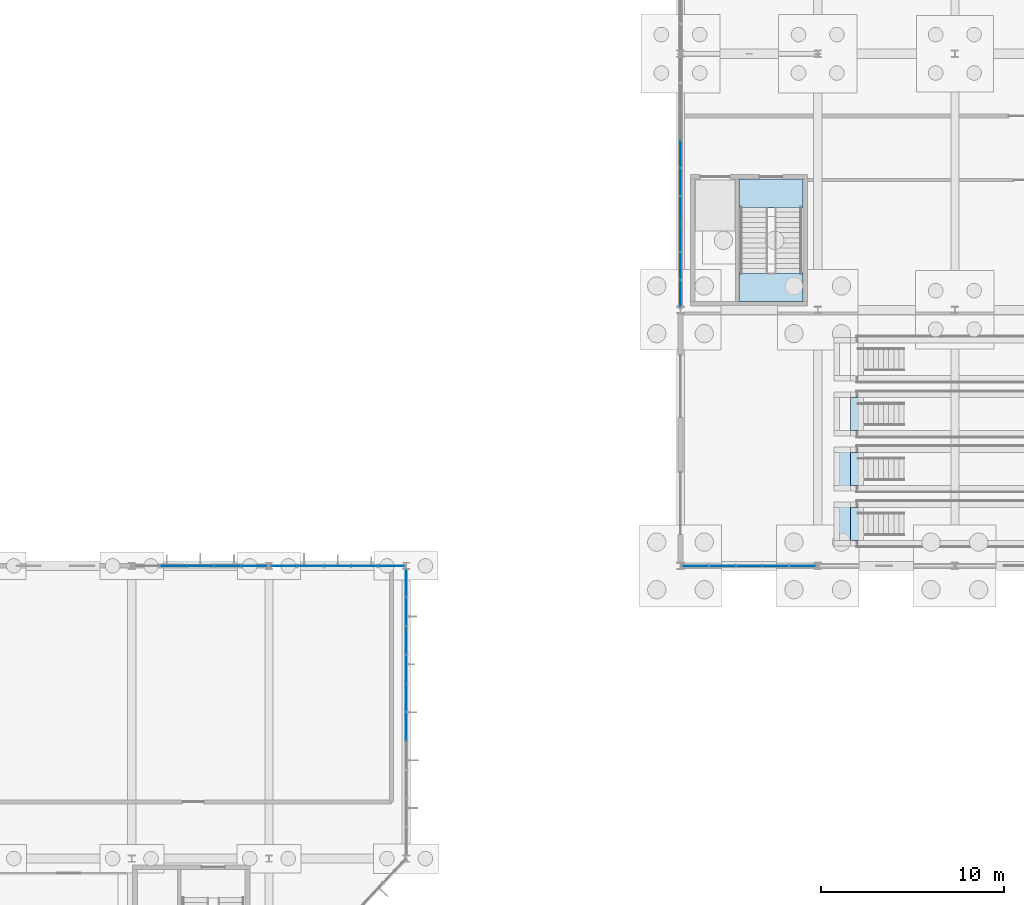
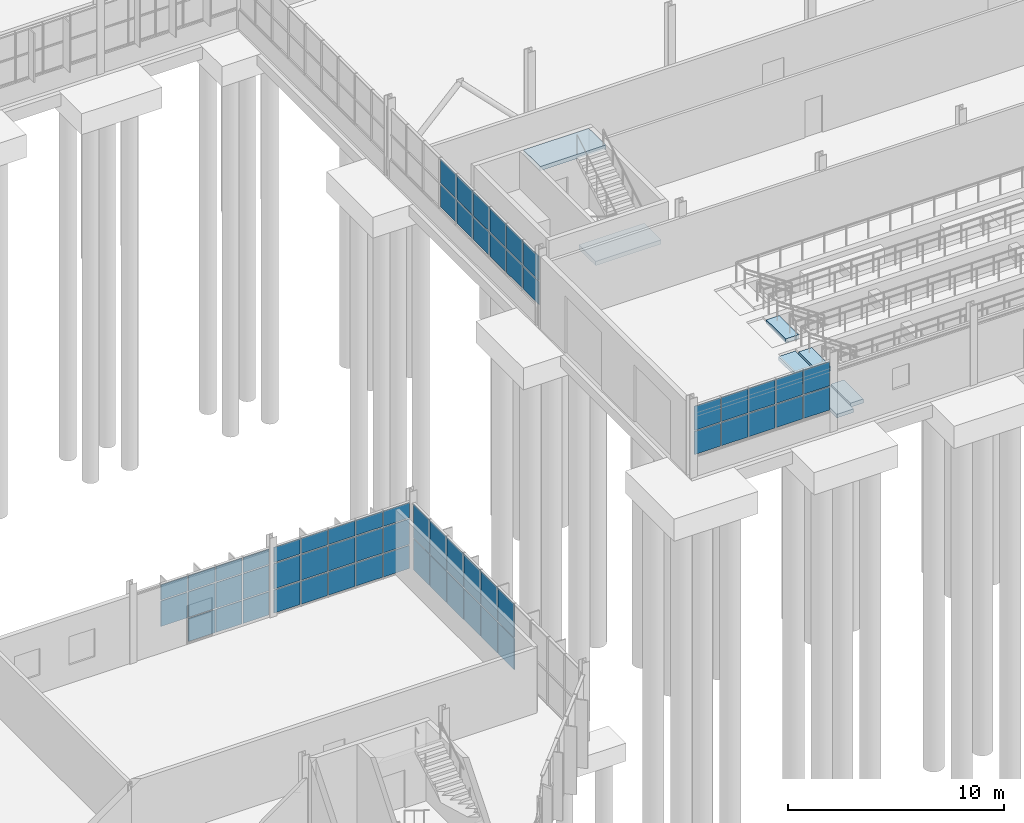
# One storey, part 84 of 136: 60 plates, 7 slabs, 6 elements without a shape of their own.
"""IFC4 building model written with IfcOpenShell, lengths in metres."""

from ifc_helpers import new_model, si_unit, direction, frame, origin, origin_2d, place, context, subcontext, project, spatial, polyline, rectangle, outline, extrude, material, layer, layer_set, type_object, element, aggregate, save


model = new_model("IFC4")

# Units and contexts
model_context = context("Model", 3, precision=1e-05, world=origin(), true_north=direction((0.0, 1.0)))
body_context = subcontext(model_context, "Body", "Model", "MODEL_VIEW")
ifc_project = project(units=[si_unit("LENGTHUNIT", "METRE"), si_unit("AREAUNIT", "SQUARE_METRE"), si_unit("VOLUMEUNIT", "CUBIC_METRE"), si_unit("PLANEANGLEUNIT", "RADIAN"), si_unit("MASSUNIT", "GRAM", prefix="KILO")], contexts=[model_context])

# Site, building, storey
site_placement = place(None, origin())
site = spatial("IfcSite", under=ifc_project, at=site_placement, CompositionType="ELEMENT")
building_placement = place(site_placement, origin())
building = spatial("IfcBuilding", under=site, at=building_placement, Name="Solvenia Promenade Tram Depot", CompositionType="ELEMENT")
storey_placement = place(building_placement, origin())
storey = spatial("IfcBuildingStorey", under=building, at=storey_placement, Name="L00", CompositionType="ELEMENT", Elevation=0.0)

# Curtain wall, plates
ifc_material_1 = material(Name="Anodized aluminium AW-6063 T6", Category="aluminium")
ifc_layer_1 = layer(ifc_material_1, 0.14990234375, Name="Anodized aluminium AW-6063 T6", Category="aluminium")
ifc_layer_set_1 = layer_set([ifc_layer_1], Name="Anodized aluminium AW-6063 T6")
curtain_wall_type_1 = type_object("IfcCurtainWallType", Name="CW-Court-1500", PredefinedType="NOTDEFINED", material=ifc_layer_set_1)
curtain_wall_1_placement = place(storey_placement, origin())
curtain_wall_1 = element("IfcCurtainWall", 1, at=curtain_wall_1_placement, inside=storey, type_object=curtain_wall_type_1, Name="Curtain Wall CW-V2W-L0-1", PredefinedType="NOTDEFINED")
ifc_material_2 = material(Name="Double low-e argon insulated glass", Category="glass")
ifc_layer_2 = layer(ifc_material_2, 0.031982421875, Name="Double low-e argon insulated glass", Category="glass")
ifc_layer_set_2 = layer_set([ifc_layer_2], Name="Double low-e argon insulated glass")
plate_type_1 = type_object("IfcPlateType", Name="CWP-Panel-2", PredefinedType="CURTAIN_PANEL", material=ifc_layer_set_2)
plate_1_placement = place(storey_placement, frame((105.0, 38.861328125, 1.115234375), z_axis=(0.0, 0.0, 1.0), x_axis=(0.0, 1.0, 0.0)))
plate_1 = element("IfcPlate", 2, at=plate_1_placement, type_object=plate_type_1, Name="CW-5 panel 1.1", PredefinedType="CURTAIN_PANEL", context=body_context, shape_type="SweptSolid", body=[
    extrude(rectangle(XDim=1.462890625, YDim=0.031982421875, at=origin_2d()), origin(), (0.0, 0.0, 1.0), 1.302490234375),
])
plate_2_placement = place(storey_placement, frame((105.0, 38.861328125, 2.482421875), z_axis=(0.0, 0.0, 1.0), x_axis=(0.0, 1.0, 0.0)))
plate_2 = element("IfcPlate", 3, at=plate_2_placement, type_object=plate_type_1, Name="CW-5 panel 1.2", PredefinedType="CURTAIN_PANEL", context=body_context, shape_type="SweptSolid", body=[
    extrude(rectangle(XDim=1.462890625, YDim=0.031982421875, at=origin_2d()), origin(), (0.0, 0.0, 1.0), 1.3525390625),
])
plate_3_placement = place(storey_placement, frame((105.0, 40.38671875, 1.115234375), z_axis=(0.0, 0.0, 1.0), x_axis=(0.0, 1.0, 0.0)))
plate_3 = element("IfcPlate", 4, at=plate_3_placement, type_object=plate_type_1, Name="CW-5 panel 2.1", PredefinedType="CURTAIN_PANEL", context=body_context, shape_type="SweptSolid", body=[
    extrude(rectangle(XDim=1.48779296875, YDim=0.031982421875, at=origin_2d()), origin(), (0.0, 0.0, 1.0), 1.302490234375),
])
plate_4_placement = place(storey_placement, frame((105.0, 40.38671875, 2.482421875), z_axis=(0.0, 0.0, 1.0), x_axis=(0.0, 1.0, 0.0)))
plate_4 = element("IfcPlate", 5, at=plate_4_placement, type_object=plate_type_1, Name="CW-5 panel 2.2", PredefinedType="CURTAIN_PANEL", context=body_context, shape_type="SweptSolid", body=[
    extrude(rectangle(XDim=1.48779296875, YDim=0.031982421875, at=origin_2d()), origin(), (0.0, 0.0, 1.0), 1.3525390625),
])
plate_5_placement = place(storey_placement, frame((105.0, 41.924560546875, 1.115234375), z_axis=(0.0, 0.0, 1.0), x_axis=(0.0, 1.0, 0.0)))
plate_5 = element("IfcPlate", 6, at=plate_5_placement, type_object=plate_type_1, Name="CW-5 panel 3.1", PredefinedType="CURTAIN_PANEL", context=body_context, shape_type="SweptSolid", body=[
    extrude(rectangle(XDim=1.48779296875, YDim=0.031982421875, at=origin_2d()), origin(), (0.0, 0.0, 1.0), 1.302490234375),
])
plate_6_placement = place(storey_placement, frame((105.0, 41.924560546875, 2.482421875), z_axis=(0.0, 0.0, 1.0), x_axis=(0.0, 1.0, 0.0)))
plate_6 = element("IfcPlate", 7, at=plate_6_placement, type_object=plate_type_1, Name="CW-5 panel 3.2", PredefinedType="CURTAIN_PANEL", context=body_context, shape_type="SweptSolid", body=[
    extrude(rectangle(XDim=1.48779296875, YDim=0.031982421875, at=origin_2d()), origin(), (0.0, 0.0, 1.0), 1.3525390625),
])
plate_7_placement = place(storey_placement, frame((105.0, 43.462158203125, 1.115234375), z_axis=(0.0, 0.0, 1.0), x_axis=(0.0, 1.0, 0.0)))
plate_7 = element("IfcPlate", 8, at=plate_7_placement, type_object=plate_type_1, Name="CW-5 panel 4.1", PredefinedType="CURTAIN_PANEL", context=body_context, shape_type="SweptSolid", body=[
    extrude(rectangle(XDim=1.48779296875, YDim=0.031982421875, at=origin_2d()), origin(), (0.0, 0.0, 1.0), 1.302490234375),
])
plate_8_placement = place(storey_placement, frame((105.0, 43.462158203125, 2.482421875), z_axis=(0.0, 0.0, 1.0), x_axis=(0.0, 1.0, 0.0)))
plate_8 = element("IfcPlate", 9, at=plate_8_placement, type_object=plate_type_1, Name="CW-5 panel 4.2", PredefinedType="CURTAIN_PANEL", context=body_context, shape_type="SweptSolid", body=[
    extrude(rectangle(XDim=1.48779296875, YDim=0.031982421875, at=origin_2d()), origin(), (0.0, 0.0, 1.0), 1.3525390625),
])
plate_9_placement = place(storey_placement, frame((105.0, 45.0, 1.115234375), z_axis=(0.0, 0.0, 1.0), x_axis=(0.0, 1.0, 0.0)))
plate_9 = element("IfcPlate", 10, at=plate_9_placement, type_object=plate_type_1, Name="CW-5 panel 5.1", PredefinedType="CURTAIN_PANEL", context=body_context, shape_type="SweptSolid", body=[
    extrude(rectangle(XDim=1.48779296875, YDim=0.031982421875, at=origin_2d()), origin(), (0.0, 0.0, 1.0), 1.302490234375),
])
plate_10_placement = place(storey_placement, frame((105.0, 45.0, 2.482421875), z_axis=(0.0, 0.0, 1.0), x_axis=(0.0, 1.0, 0.0)))
plate_10 = element("IfcPlate", 11, at=plate_10_placement, type_object=plate_type_1, Name="CW-5 panel 5.2", PredefinedType="CURTAIN_PANEL", context=body_context, shape_type="SweptSolid", body=[
    extrude(rectangle(XDim=1.48779296875, YDim=0.031982421875, at=origin_2d()), origin(), (0.0, 0.0, 1.0), 1.3525390625),
])
plate_11_placement = place(storey_placement, frame((105.0, 46.537841796875, 1.115234375), z_axis=(0.0, 0.0, 1.0), x_axis=(0.0, 1.0, 0.0)))
plate_11 = element("IfcPlate", 12, at=plate_11_placement, type_object=plate_type_1, Name="CW-5 panel 6.1", PredefinedType="CURTAIN_PANEL", context=body_context, shape_type="SweptSolid", body=[
    extrude(rectangle(XDim=1.48779296875, YDim=0.031982421875, at=origin_2d()), origin(), (0.0, 0.0, 1.0), 1.302490234375),
])
plate_12_placement = place(storey_placement, frame((105.0, 46.537841796875, 2.482421875), z_axis=(0.0, 0.0, 1.0), x_axis=(0.0, 1.0, 0.0)))
plate_12 = element("IfcPlate", 13, at=plate_12_placement, type_object=plate_type_1, Name="CW-5 panel 6.2", PredefinedType="CURTAIN_PANEL", context=body_context, shape_type="SweptSolid", body=[
    extrude(rectangle(XDim=1.48779296875, YDim=0.031982421875, at=origin_2d()), origin(), (0.0, 0.0, 1.0), 1.3525390625),
])
aggregate(curtain_wall_1, [plate_1, plate_2, plate_3, plate_4, plate_5, plate_6, plate_7, plate_8, plate_9, plate_10, plate_11, plate_12])

curtain_wall_2_placement = place(storey_placement, origin())
curtain_wall_2 = element("IfcCurtainWall", 14, at=curtain_wall_2_placement, inside=storey, type_object=curtain_wall_type_1, Name="Curtain Wall CW-V4N-L00-11", PredefinedType="NOTDEFINED")
plate_13_placement = place(storey_placement, frame((77.281982421875, 24.0, 1.432373046875), z_axis=(0.0, 0.0, 1.0), x_axis=(1.0, 0.0, 0.0)))
plate_13 = element("IfcPlate", 15, at=plate_13_placement, type_object=plate_type_1, Name="CW-5 panel 2.2", PredefinedType="CURTAIN_PANEL", context=body_context, shape_type="SweptSolid", body=[
    extrude(rectangle(XDim=1.41796875, YDim=0.031982421875, at=origin_2d()), origin(), (0.0, 0.0, 1.0), 1.43505859375),
])
plate_14_placement = place(storey_placement, frame((77.281982421875, 24.0, 2.932373046875), z_axis=(0.0, 0.0, 1.0), x_axis=(1.0, 0.0, 0.0)))
plate_14 = element("IfcPlate", 16, at=plate_14_placement, type_object=plate_type_1, Name="CW-5 panel 2.3", PredefinedType="CURTAIN_PANEL", context=body_context, shape_type="SweptSolid", body=[
    extrude(rectangle(XDim=1.41796875, YDim=0.031982421875, at=origin_2d()), origin(), (0.0, 0.0, 1.0), 0.8525390625),
])
plate_15_placement = place(storey_placement, frame((78.75, 24.0, 0.06494140625), z_axis=(0.0, 0.0, 1.0), x_axis=(1.0, 0.0, 0.0)))
plate_15 = element("IfcPlate", 17, at=plate_15_placement, type_object=plate_type_1, Name="CW-5 panel 3.1", PredefinedType="CURTAIN_PANEL", context=body_context, shape_type="SweptSolid", body=[
    extrude(rectangle(XDim=1.41796875, YDim=0.031982421875, at=origin_2d()), origin(), (0.0, 0.0, 1.0), 1.302490234375),
])
plate_16_placement = place(storey_placement, frame((78.75, 24.0, 1.432373046875), z_axis=(0.0, 0.0, 1.0), x_axis=(1.0, 0.0, 0.0)))
plate_16 = element("IfcPlate", 18, at=plate_16_placement, type_object=plate_type_1, Name="CW-5 panel 3.2", PredefinedType="CURTAIN_PANEL", context=body_context, shape_type="SweptSolid", body=[
    extrude(rectangle(XDim=1.41796875, YDim=0.031982421875, at=origin_2d()), origin(), (0.0, 0.0, 1.0), 1.43505859375),
])
plate_17_placement = place(storey_placement, frame((78.75, 24.0, 2.932373046875), z_axis=(0.0, 0.0, 1.0), x_axis=(1.0, 0.0, 0.0)))
plate_17 = element("IfcPlate", 19, at=plate_17_placement, type_object=plate_type_1, Name="CW-5 panel 3.3", PredefinedType="CURTAIN_PANEL", context=body_context, shape_type="SweptSolid", body=[
    extrude(rectangle(XDim=1.41796875, YDim=0.031982421875, at=origin_2d()), origin(), (0.0, 0.0, 1.0), 0.8525390625),
])
plate_18_placement = place(storey_placement, frame((80.218017578125, 24.0, 0.06494140625), z_axis=(0.0, 0.0, 1.0), x_axis=(1.0, 0.0, 0.0)))
plate_18 = element("IfcPlate", 20, at=plate_18_placement, type_object=plate_type_1, Name="CW-5 panel 4.1", PredefinedType="CURTAIN_PANEL", context=body_context, shape_type="SweptSolid", body=[
    extrude(rectangle(XDim=1.41796875, YDim=0.031982421875, at=origin_2d()), origin(), (0.0, 0.0, 1.0), 1.302490234375),
])
plate_19_placement = place(storey_placement, frame((80.218017578125, 24.0, 1.432373046875), z_axis=(0.0, 0.0, 1.0), x_axis=(1.0, 0.0, 0.0)))
plate_19 = element("IfcPlate", 21, at=plate_19_placement, type_object=plate_type_1, Name="CW-5 panel 4.2", PredefinedType="CURTAIN_PANEL", context=body_context, shape_type="SweptSolid", body=[
    extrude(rectangle(XDim=1.41796875, YDim=0.031982421875, at=origin_2d()), origin(), (0.0, 0.0, 1.0), 1.43505859375),
])
plate_20_placement = place(storey_placement, frame((80.218017578125, 24.0, 2.932373046875), z_axis=(0.0, 0.0, 1.0), x_axis=(1.0, 0.0, 0.0)))
plate_20 = element("IfcPlate", 22, at=plate_20_placement, type_object=plate_type_1, Name="CW-5 panel 4.3", PredefinedType="CURTAIN_PANEL", context=body_context, shape_type="SweptSolid", body=[
    extrude(rectangle(XDim=1.41796875, YDim=0.031982421875, at=origin_2d()), origin(), (0.0, 0.0, 1.0), 0.8525390625),
])
plate_21_placement = place(storey_placement, frame((81.673583984375, 24.0, 0.06494140625), z_axis=(0.0, 0.0, 1.0), x_axis=(1.0, 0.0, 0.0)))
plate_21 = element("IfcPlate", 23, at=plate_21_placement, type_object=plate_type_1, Name="CW-5 panel 5.1", PredefinedType="CURTAIN_PANEL", context=body_context, shape_type="SweptSolid", body=[
    extrude(rectangle(XDim=1.39306640625, YDim=0.031982421875, at=origin_2d()), origin(), (0.0, 0.0, 1.0), 1.302490234375),
])
plate_22_placement = place(storey_placement, frame((81.673583984375, 24.0, 1.432373046875), z_axis=(0.0, 0.0, 1.0), x_axis=(1.0, 0.0, 0.0)))
plate_22 = element("IfcPlate", 24, at=plate_22_placement, type_object=plate_type_1, Name="CW-5 panel 5.2", PredefinedType="CURTAIN_PANEL", context=body_context, shape_type="SweptSolid", body=[
    extrude(rectangle(XDim=1.39306640625, YDim=0.031982421875, at=origin_2d()), origin(), (0.0, 0.0, 1.0), 1.43505859375),
])
plate_23_placement = place(storey_placement, frame((81.673583984375, 24.0, 2.932373046875), z_axis=(0.0, 0.0, 1.0), x_axis=(1.0, 0.0, 0.0)))
plate_23 = element("IfcPlate", 25, at=plate_23_placement, type_object=plate_type_1, Name="CW-5 panel 5.3", PredefinedType="CURTAIN_PANEL", context=body_context, shape_type="SweptSolid", body=[
    extrude(rectangle(XDim=1.39306640625, YDim=0.031982421875, at=origin_2d()), origin(), (0.0, 0.0, 1.0), 0.8525390625),
])
aggregate(curtain_wall_2, [plate_13, plate_14, plate_15, plate_16, plate_17, plate_18, plate_19, plate_20, plate_21, plate_22, plate_23])

curtain_wall_3_placement = place(storey_placement, origin())
curtain_wall_3 = element("IfcCurtainWall", 26, at=curtain_wall_3_placement, inside=storey, type_object=curtain_wall_type_1, Name="Curtain Wall CW-V4N-L00-12", PredefinedType="NOTDEFINED")
plate_24_placement = place(storey_placement, frame((83.326416015625, 24.0, 0.06494140625), z_axis=(0.0, 0.0, 1.0), x_axis=(1.0, 0.0, 0.0)))
plate_24 = element("IfcPlate", 27, at=plate_24_placement, type_object=plate_type_1, Name="CW-5 panel 1.1", PredefinedType="CURTAIN_PANEL", context=body_context, shape_type="SweptSolid", body=[
    extrude(rectangle(XDim=1.39306640625, YDim=0.031982421875, at=origin_2d()), origin(), (0.0, 0.0, 1.0), 1.302490234375),
])
plate_25_placement = place(storey_placement, frame((83.326416015625, 24.0, 1.432373046875), z_axis=(0.0, 0.0, 1.0), x_axis=(1.0, 0.0, 0.0)))
plate_25 = element("IfcPlate", 28, at=plate_25_placement, type_object=plate_type_1, Name="CW-5 panel 1.2", PredefinedType="CURTAIN_PANEL", context=body_context, shape_type="SweptSolid", body=[
    extrude(rectangle(XDim=1.39306640625, YDim=0.031982421875, at=origin_2d()), origin(), (0.0, 0.0, 1.0), 1.43505859375),
])
plate_26_placement = place(storey_placement, frame((83.326416015625, 24.0, 2.932373046875), z_axis=(0.0, 0.0, 1.0), x_axis=(1.0, 0.0, 0.0)))
plate_26 = element("IfcPlate", 29, at=plate_26_placement, type_object=plate_type_1, Name="CW-5 panel 1.3", PredefinedType="CURTAIN_PANEL", context=body_context, shape_type="SweptSolid", body=[
    extrude(rectangle(XDim=1.39306640625, YDim=0.031982421875, at=origin_2d()), origin(), (0.0, 0.0, 1.0), 0.8525390625),
])
plate_27_placement = place(storey_placement, frame((84.781982421875, 24.0, 0.06494140625), z_axis=(0.0, 0.0, 1.0), x_axis=(1.0, 0.0, 0.0)))
plate_27 = element("IfcPlate", 30, at=plate_27_placement, type_object=plate_type_1, Name="CW-5 panel 2.1", PredefinedType="CURTAIN_PANEL", context=body_context, shape_type="SweptSolid", body=[
    extrude(rectangle(XDim=1.41796875, YDim=0.031982421875, at=origin_2d()), origin(), (0.0, 0.0, 1.0), 1.302490234375),
])
plate_28_placement = place(storey_placement, frame((84.781982421875, 24.0, 1.432373046875), z_axis=(0.0, 0.0, 1.0), x_axis=(1.0, 0.0, 0.0)))
plate_28 = element("IfcPlate", 31, at=plate_28_placement, type_object=plate_type_1, Name="CW-5 panel 2.2", PredefinedType="CURTAIN_PANEL", context=body_context, shape_type="SweptSolid", body=[
    extrude(rectangle(XDim=1.41796875, YDim=0.031982421875, at=origin_2d()), origin(), (0.0, 0.0, 1.0), 1.43505859375),
])
plate_29_placement = place(storey_placement, frame((84.781982421875, 24.0, 2.932373046875), z_axis=(0.0, 0.0, 1.0), x_axis=(1.0, 0.0, 0.0)))
plate_29 = element("IfcPlate", 32, at=plate_29_placement, type_object=plate_type_1, Name="CW-5 panel 2.3", PredefinedType="CURTAIN_PANEL", context=body_context, shape_type="SweptSolid", body=[
    extrude(rectangle(XDim=1.41796875, YDim=0.031982421875, at=origin_2d()), origin(), (0.0, 0.0, 1.0), 0.8525390625),
])
plate_30_placement = place(storey_placement, frame((86.25, 24.0, 0.06494140625), z_axis=(0.0, 0.0, 1.0), x_axis=(1.0, 0.0, 0.0)))
plate_30 = element("IfcPlate", 33, at=plate_30_placement, type_object=plate_type_1, Name="CW-5 panel 3.1", PredefinedType="CURTAIN_PANEL", context=body_context, shape_type="SweptSolid", body=[
    extrude(rectangle(XDim=1.41796875, YDim=0.031982421875, at=origin_2d()), origin(), (0.0, 0.0, 1.0), 1.302490234375),
])
plate_31_placement = place(storey_placement, frame((86.25, 24.0, 1.432373046875), z_axis=(0.0, 0.0, 1.0), x_axis=(1.0, 0.0, 0.0)))
plate_31 = element("IfcPlate", 34, at=plate_31_placement, type_object=plate_type_1, Name="CW-5 panel 3.2", PredefinedType="CURTAIN_PANEL", context=body_context, shape_type="SweptSolid", body=[
    extrude(rectangle(XDim=1.41796875, YDim=0.031982421875, at=origin_2d()), origin(), (0.0, 0.0, 1.0), 1.43505859375),
])
plate_32_placement = place(storey_placement, frame((86.25, 24.0, 2.932373046875), z_axis=(0.0, 0.0, 1.0), x_axis=(1.0, 0.0, 0.0)))
plate_32 = element("IfcPlate", 35, at=plate_32_placement, type_object=plate_type_1, Name="CW-5 panel 3.3", PredefinedType="CURTAIN_PANEL", context=body_context, shape_type="SweptSolid", body=[
    extrude(rectangle(XDim=1.41796875, YDim=0.031982421875, at=origin_2d()), origin(), (0.0, 0.0, 1.0), 0.8525390625),
])
plate_33_placement = place(storey_placement, frame((87.718017578125, 24.0, 0.06494140625), z_axis=(0.0, 0.0, 1.0), x_axis=(1.0, 0.0, 0.0)))
plate_33 = element("IfcPlate", 36, at=plate_33_placement, type_object=plate_type_1, Name="CW-5 panel 4.1", PredefinedType="CURTAIN_PANEL", context=body_context, shape_type="SweptSolid", body=[
    extrude(rectangle(XDim=1.41796875, YDim=0.031982421875, at=origin_2d()), origin(), (0.0, 0.0, 1.0), 1.302490234375),
])
plate_34_placement = place(storey_placement, frame((87.718017578125, 24.0, 1.432373046875), z_axis=(0.0, 0.0, 1.0), x_axis=(1.0, 0.0, 0.0)))
plate_34 = element("IfcPlate", 37, at=plate_34_placement, type_object=plate_type_1, Name="CW-5 panel 4.2", PredefinedType="CURTAIN_PANEL", context=body_context, shape_type="SweptSolid", body=[
    extrude(rectangle(XDim=1.41796875, YDim=0.031982421875, at=origin_2d()), origin(), (0.0, 0.0, 1.0), 1.43505859375),
])
plate_35_placement = place(storey_placement, frame((87.718017578125, 24.0, 2.932373046875), z_axis=(0.0, 0.0, 1.0), x_axis=(1.0, 0.0, 0.0)))
plate_35 = element("IfcPlate", 38, at=plate_35_placement, type_object=plate_type_1, Name="CW-5 panel 4.3", PredefinedType="CURTAIN_PANEL", context=body_context, shape_type="SweptSolid", body=[
    extrude(rectangle(XDim=1.41796875, YDim=0.031982421875, at=origin_2d()), origin(), (0.0, 0.0, 1.0), 0.8525390625),
])
plate_36_placement = place(storey_placement, frame((89.173583984375, 24.0, 0.06494140625), z_axis=(0.0, 0.0, 1.0), x_axis=(1.0, 0.0, 0.0)))
plate_36 = element("IfcPlate", 39, at=plate_36_placement, type_object=plate_type_1, Name="CW-5 panel 5.1", PredefinedType="CURTAIN_PANEL", context=body_context, shape_type="SweptSolid", body=[
    extrude(rectangle(XDim=1.39306640625, YDim=0.031982421875, at=origin_2d()), origin(), (0.0, 0.0, 1.0), 1.302490234375),
])
plate_37_placement = place(storey_placement, frame((89.173583984375, 24.0, 1.432373046875), z_axis=(0.0, 0.0, 1.0), x_axis=(1.0, 0.0, 0.0)))
plate_37 = element("IfcPlate", 40, at=plate_37_placement, type_object=plate_type_1, Name="CW-5 panel 5.2", PredefinedType="CURTAIN_PANEL", context=body_context, shape_type="SweptSolid", body=[
    extrude(rectangle(XDim=1.39306640625, YDim=0.031982421875, at=origin_2d()), origin(), (0.0, 0.0, 1.0), 1.43505859375),
])
plate_38_placement = place(storey_placement, frame((89.173583984375, 24.0, 2.932373046875), z_axis=(0.0, 0.0, 1.0), x_axis=(1.0, 0.0, 0.0)))
plate_38 = element("IfcPlate", 41, at=plate_38_placement, type_object=plate_type_1, Name="CW-5 panel 5.3", PredefinedType="CURTAIN_PANEL", context=body_context, shape_type="SweptSolid", body=[
    extrude(rectangle(XDim=1.39306640625, YDim=0.031982421875, at=origin_2d()), origin(), (0.0, 0.0, 1.0), 0.8525390625),
])
aggregate(curtain_wall_3, [plate_24, plate_25, plate_26, plate_27, plate_28, plate_29, plate_30, plate_31, plate_32, plate_33, plate_34, plate_35, plate_36, plate_37, plate_38])

curtain_wall_4_placement = place(storey_placement, origin())
curtain_wall_4 = element("IfcCurtainWall", 42, at=curtain_wall_4_placement, inside=storey, type_object=curtain_wall_type_1, Name="Curtain Wall CW-V4E-L00", PredefinedType="NOTDEFINED")
plate_39_placement = place(storey_placement, frame((90.0, 15.215087890625, 0.06494140625), z_axis=(0.0, 0.0, 1.0), x_axis=(0.0, 1.0, 0.0)))
plate_39 = element("IfcPlate", 43, at=plate_39_placement, type_object=plate_type_1, Name="CW-5 panel 5.1", PredefinedType="CURTAIN_PANEL", context=body_context, shape_type="SweptSolid", body=[
    extrude(rectangle(XDim=1.52001953125, YDim=0.031982421875, at=origin_2d()), origin(), (0.0, 0.0, 1.0), 1.75244140625),
])
plate_40_placement = place(storey_placement, frame((90.0, 15.215087890625, 1.88232421875), z_axis=(0.0, 0.0, 1.0), x_axis=(0.0, 1.0, 0.0)))
plate_40 = element("IfcPlate", 44, at=plate_40_placement, type_object=plate_type_1, Name="CW-5 panel 5.2", PredefinedType="CURTAIN_PANEL", context=body_context, shape_type="SweptSolid", body=[
    extrude(rectangle(XDim=1.52001953125, YDim=0.031982421875, at=origin_2d()), origin(), (0.0, 0.0, 1.0), 1.902587890625),
])
plate_41_placement = place(storey_placement, frame((90.0, 16.784912109375, 0.06494140625), z_axis=(0.0, 0.0, 1.0), x_axis=(0.0, 1.0, 0.0)))
plate_41 = element("IfcPlate", 45, at=plate_41_placement, type_object=plate_type_1, Name="CW-5 panel 6.1", PredefinedType="CURTAIN_PANEL", context=body_context, shape_type="SweptSolid", body=[
    extrude(rectangle(XDim=1.52001953125, YDim=0.031982421875, at=origin_2d()), origin(), (0.0, 0.0, 1.0), 1.75244140625),
])
plate_42_placement = place(storey_placement, frame((90.0, 16.784912109375, 1.88232421875), z_axis=(0.0, 0.0, 1.0), x_axis=(0.0, 1.0, 0.0)))
plate_42 = element("IfcPlate", 46, at=plate_42_placement, type_object=plate_type_1, Name="CW-5 panel 6.2", PredefinedType="CURTAIN_PANEL", context=body_context, shape_type="SweptSolid", body=[
    extrude(rectangle(XDim=1.52001953125, YDim=0.031982421875, at=origin_2d()), origin(), (0.0, 0.0, 1.0), 1.902587890625),
])
plate_43_placement = place(storey_placement, frame((90.0, 18.35498046875, 0.06494140625), z_axis=(0.0, 0.0, 1.0), x_axis=(0.0, 1.0, 0.0)))
plate_43 = element("IfcPlate", 47, at=plate_43_placement, type_object=plate_type_1, Name="CW-5 panel 7.1", PredefinedType="CURTAIN_PANEL", context=body_context, shape_type="SweptSolid", body=[
    extrude(rectangle(XDim=1.52001953125, YDim=0.031982421875, at=origin_2d()), origin(), (0.0, 0.0, 1.0), 1.75244140625),
])
plate_44_placement = place(storey_placement, frame((90.0, 18.35498046875, 1.88232421875), z_axis=(0.0, 0.0, 1.0), x_axis=(0.0, 1.0, 0.0)))
plate_44 = element("IfcPlate", 48, at=plate_44_placement, type_object=plate_type_1, Name="CW-5 panel 7.2", PredefinedType="CURTAIN_PANEL", context=body_context, shape_type="SweptSolid", body=[
    extrude(rectangle(XDim=1.52001953125, YDim=0.031982421875, at=origin_2d()), origin(), (0.0, 0.0, 1.0), 1.902587890625),
])
plate_45_placement = place(storey_placement, frame((90.0, 19.925048828125, 0.06494140625), z_axis=(0.0, 0.0, 1.0), x_axis=(0.0, 1.0, 0.0)))
plate_45 = element("IfcPlate", 49, at=plate_45_placement, type_object=plate_type_1, Name="CW-5 panel 8.1", PredefinedType="CURTAIN_PANEL", context=body_context, shape_type="SweptSolid", body=[
    extrude(rectangle(XDim=1.52001953125, YDim=0.031982421875, at=origin_2d()), origin(), (0.0, 0.0, 1.0), 1.75244140625),
])
plate_46_placement = place(storey_placement, frame((90.0, 19.925048828125, 1.88232421875), z_axis=(0.0, 0.0, 1.0), x_axis=(0.0, 1.0, 0.0)))
plate_46 = element("IfcPlate", 50, at=plate_46_placement, type_object=plate_type_1, Name="CW-5 panel 8.2", PredefinedType="CURTAIN_PANEL", context=body_context, shape_type="SweptSolid", body=[
    extrude(rectangle(XDim=1.52001953125, YDim=0.031982421875, at=origin_2d()), origin(), (0.0, 0.0, 1.0), 1.902587890625),
])
plate_47_placement = place(storey_placement, frame((90.0, 21.4951171875, 0.06494140625), z_axis=(0.0, 0.0, 1.0), x_axis=(0.0, 1.0, 0.0)))
plate_47 = element("IfcPlate", 51, at=plate_47_placement, type_object=plate_type_1, Name="CW-5 panel 9.1", PredefinedType="CURTAIN_PANEL", context=body_context, shape_type="SweptSolid", body=[
    extrude(rectangle(XDim=1.52001953125, YDim=0.031982421875, at=origin_2d()), origin(), (0.0, 0.0, 1.0), 1.75244140625),
])
plate_48_placement = place(storey_placement, frame((90.0, 21.4951171875, 1.88232421875), z_axis=(0.0, 0.0, 1.0), x_axis=(0.0, 1.0, 0.0)))
plate_48 = element("IfcPlate", 52, at=plate_48_placement, type_object=plate_type_1, Name="CW-5 panel 9.2", PredefinedType="CURTAIN_PANEL", context=body_context, shape_type="SweptSolid", body=[
    extrude(rectangle(XDim=1.52001953125, YDim=0.031982421875, at=origin_2d()), origin(), (0.0, 0.0, 1.0), 1.902587890625),
])
plate_49_placement = place(storey_placement, frame((90.0, 23.052490234375, 0.06494140625), z_axis=(0.0, 0.0, 1.0), x_axis=(0.0, 1.0, 0.0)))
plate_49 = element("IfcPlate", 53, at=plate_49_placement, type_object=plate_type_1, Name="CW-5 panel 10.1", PredefinedType="CURTAIN_PANEL", context=body_context, shape_type="SweptSolid", body=[
    extrude(rectangle(XDim=1.4951171875, YDim=0.031982421875, at=origin_2d()), origin(), (0.0, 0.0, 1.0), 1.75244140625),
])
plate_50_placement = place(storey_placement, frame((90.0, 23.052490234375, 1.88232421875), z_axis=(0.0, 0.0, 1.0), x_axis=(0.0, 1.0, 0.0)))
plate_50 = element("IfcPlate", 54, at=plate_50_placement, type_object=plate_type_1, Name="CW-5 panel 10.2", PredefinedType="CURTAIN_PANEL", context=body_context, shape_type="SweptSolid", body=[
    extrude(rectangle(XDim=1.4951171875, YDim=0.031982421875, at=origin_2d()), origin(), (0.0, 0.0, 1.0), 1.902587890625),
])
aggregate(curtain_wall_4, [plate_39, plate_40, plate_41, plate_42, plate_43, plate_44, plate_45, plate_46, plate_47, plate_48, plate_49, plate_50])

ifc_layer_3 = layer(ifc_material_1, 0.179931640625, Name="Anodized aluminium AW-6063 T6", Category="aluminium")
ifc_layer_set_3 = layer_set([ifc_layer_3], Name="Anodized aluminium AW-6063 T6")
curtain_wall_type_2 = type_object("IfcCurtainWallType", Name="CW-Solar-1500", PredefinedType="NOTDEFINED", material=ifc_layer_set_3)
curtain_wall_5_placement = place(storey_placement, origin())
curtain_wall_5 = element("IfcCurtainWall", 55, at=curtain_wall_5_placement, inside=storey, type_object=curtain_wall_type_2, Name="Curtain Wall CW-V2S-L0-01", PredefinedType="NOTDEFINED")
ifc_layer_4 = layer(ifc_material_2, 0.035888671875, Name="Double low-e argon insulated glass", Category="glass")
ifc_layer_set_4 = layer_set([ifc_layer_4], Name="Double low-e argon insulated glass")
plate_type_2 = type_object("IfcPlateType", Name="CWP-Panel-3", PredefinedType="CURTAIN_PANEL", material=ifc_layer_set_4)
plate_51_placement = place(storey_placement, frame((105.825927734375, 24.0, 1.157958984375), z_axis=(0.0, 0.0, 1.0), x_axis=(1.0, 0.0, 0.0)))
plate_51 = element("IfcPlate", 56, at=plate_51_placement, type_object=plate_type_2, Name="CW-7 panel 1.1", PredefinedType="CURTAIN_PANEL", context=body_context, shape_type="SweptSolid", body=[
    extrude(rectangle(XDim=1.39599609375, YDim=0.035888671875, at=origin_2d()), origin(), (0.0, 0.0, 1.0), 1.31298828125),
])
plate_52_placement = place(storey_placement, frame((105.825927734375, 24.0, 2.52880859375), z_axis=(0.0, 0.0, 1.0), x_axis=(1.0, 0.0, 0.0)))
plate_52 = element("IfcPlate", 57, at=plate_52_placement, type_object=plate_type_2, Name="CW-7 panel 1.2", PredefinedType="CURTAIN_PANEL", context=body_context, shape_type="SweptSolid", body=[
    extrude(rectangle(XDim=1.39599609375, YDim=0.035888671875, at=origin_2d()), origin(), (0.0, 0.0, 1.0), 1.363037109375),
])
plate_53_placement = place(storey_placement, frame((107.281982421875, 24.0, 1.157958984375), z_axis=(0.0, 0.0, 1.0), x_axis=(1.0, 0.0, 0.0)))
plate_53 = element("IfcPlate", 58, at=plate_53_placement, type_object=plate_type_2, Name="CW-7 panel 2.1", PredefinedType="CURTAIN_PANEL", context=body_context, shape_type="SweptSolid", body=[
    extrude(rectangle(XDim=1.419921875, YDim=0.035888671875, at=origin_2d()), origin(), (0.0, 0.0, 1.0), 1.31298828125),
])
plate_54_placement = place(storey_placement, frame((107.281982421875, 24.0, 2.52880859375), z_axis=(0.0, 0.0, 1.0), x_axis=(1.0, 0.0, 0.0)))
plate_54 = element("IfcPlate", 59, at=plate_54_placement, type_object=plate_type_2, Name="CW-7 panel 2.2", PredefinedType="CURTAIN_PANEL", context=body_context, shape_type="SweptSolid", body=[
    extrude(rectangle(XDim=1.419921875, YDim=0.035888671875, at=origin_2d()), origin(), (0.0, 0.0, 1.0), 1.363037109375),
])
plate_55_placement = place(storey_placement, frame((108.75, 24.0, 1.157958984375), z_axis=(0.0, 0.0, 1.0), x_axis=(1.0, 0.0, 0.0)))
plate_55 = element("IfcPlate", 60, at=plate_55_placement, type_object=plate_type_2, Name="CW-7 panel 3.1", PredefinedType="CURTAIN_PANEL", context=body_context, shape_type="SweptSolid", body=[
    extrude(rectangle(XDim=1.419921875, YDim=0.035888671875, at=origin_2d()), origin(), (0.0, 0.0, 1.0), 1.31298828125),
])
plate_56_placement = place(storey_placement, frame((108.75, 24.0, 2.52880859375), z_axis=(0.0, 0.0, 1.0), x_axis=(1.0, 0.0, 0.0)))
plate_56 = element("IfcPlate", 61, at=plate_56_placement, type_object=plate_type_2, Name="CW-7 panel 3.2", PredefinedType="CURTAIN_PANEL", context=body_context, shape_type="SweptSolid", body=[
    extrude(rectangle(XDim=1.419921875, YDim=0.035888671875, at=origin_2d()), origin(), (0.0, 0.0, 1.0), 1.363037109375),
])
plate_57_placement = place(storey_placement, frame((110.218017578125, 24.0, 1.157958984375), z_axis=(0.0, 0.0, 1.0), x_axis=(1.0, 0.0, 0.0)))
plate_57 = element("IfcPlate", 62, at=plate_57_placement, type_object=plate_type_2, Name="CW-7 panel 4.1", PredefinedType="CURTAIN_PANEL", context=body_context, shape_type="SweptSolid", body=[
    extrude(rectangle(XDim=1.419921875, YDim=0.035888671875, at=origin_2d()), origin(), (0.0, 0.0, 1.0), 1.31298828125),
])
plate_58_placement = place(storey_placement, frame((110.218017578125, 24.0, 2.52880859375), z_axis=(0.0, 0.0, 1.0), x_axis=(1.0, 0.0, 0.0)))
plate_58 = element("IfcPlate", 63, at=plate_58_placement, type_object=plate_type_2, Name="CW-7 panel 4.2", PredefinedType="CURTAIN_PANEL", context=body_context, shape_type="SweptSolid", body=[
    extrude(rectangle(XDim=1.419921875, YDim=0.035888671875, at=origin_2d()), origin(), (0.0, 0.0, 1.0), 1.363037109375),
])
plate_59_placement = place(storey_placement, frame((111.674072265625, 24.0, 1.157958984375), z_axis=(0.0, 0.0, 1.0), x_axis=(1.0, 0.0, 0.0)))
plate_59 = element("IfcPlate", 64, at=plate_59_placement, type_object=plate_type_2, Name="CW-7 panel 5.1", PredefinedType="CURTAIN_PANEL", context=body_context, shape_type="SweptSolid", body=[
    extrude(rectangle(XDim=1.39599609375, YDim=0.035888671875, at=origin_2d()), origin(), (0.0, 0.0, 1.0), 1.31298828125),
])
plate_60_placement = place(storey_placement, frame((111.674072265625, 24.0, 2.52880859375), z_axis=(0.0, 0.0, 1.0), x_axis=(1.0, 0.0, 0.0)))
plate_60 = element("IfcPlate", 65, at=plate_60_placement, type_object=plate_type_2, Name="CW-7 panel 5.2", PredefinedType="CURTAIN_PANEL", context=body_context, shape_type="SweptSolid", body=[
    extrude(rectangle(XDim=1.39599609375, YDim=0.035888671875, at=origin_2d()), origin(), (0.0, 0.0, 1.0), 1.363037109375),
])
aggregate(curtain_wall_5, [plate_51, plate_52, plate_53, plate_54, plate_55, plate_56, plate_57, plate_58, plate_59, plate_60])

# Slabs
ifc_material_3 = material(Name="Concrete C28/35", Category="concrete")
ifc_layer_5 = layer(ifc_material_3, 0.199951171875, Name="Concrete C28/35", Category="concrete")
ifc_layer_set_5 = layer_set([ifc_layer_5], Name="Concrete C28/35")
slab_type_1 = type_object("IfcSlabType", Name="Slab-Drain-200", PredefinedType="FLOOR", material=ifc_layer_set_5)
slab_1_placement = place(storey_placement, frame((0.0, 0.0, -0.330078125)))
element("IfcSlab", 66, at=slab_1_placement, inside=storey, type_object=slab_type_1, Name="Inspection Pit Bay 1 Recessed Trench Cover Slab", PredefinedType="FLOOR", context=body_context, shape_type="SweptSolid", body=[
    extrude(outline(polyline([(113.39990234375, 25.10009765625), (114.300048828125, 25.10009765625), (114.300048828125, 27.5), (113.39990234375, 27.5), (113.39990234375, 25.10009765625)])), origin(), (0.0, 0.0, 1.0), 0.2001953125),
])
slab_2_placement = place(storey_placement, frame((0.0, 0.0, -0.330078125)))
element("IfcSlab", 67, at=slab_2_placement, inside=storey, type_object=slab_type_1, Name="Inspection Pit Bay 2 Recessed Trench Cover Slab", PredefinedType="FLOOR", context=body_context, shape_type="SweptSolid", body=[
    extrude(outline(polyline([(113.39990234375, 28.10009765625), (114.300048828125, 28.10009765625), (114.300048828125, 30.5), (113.39990234375, 30.5), (113.39990234375, 28.10009765625)])), origin(), (0.0, 0.0, 1.0), 0.2001953125),
])
ifc_layer_6 = layer(ifc_material_3, 0.219970703125, Name="Concrete C28/35", Category="concrete")
ifc_layer_set_6 = layer_set([ifc_layer_6], Name="Concrete C28/35")
slab_type_2 = type_object("IfcSlabType", Name="Slab-Floor-220", PredefinedType="FLOOR", material=ifc_layer_set_6)
slab_3_placement = place(storey_placement, frame((0.0, 0.0, -0.219970703125)))
element("IfcSlab", 68, at=slab_3_placement, inside=storey, type_object=slab_type_2, Name="Inspection Pit Bay 1 West Stair Arrival Apron", PredefinedType="FLOOR", context=body_context, shape_type="SweptSolid", body=[
    extrude(outline(polyline([(114.300048828125, 25.39990234375), (115.0, 25.39990234375), (115.0, 27.199951171875), (114.300048828125, 27.199951171875), (114.300048828125, 25.39990234375)])), origin(), (0.0, 0.0, 1.0), 0.219970703125),
])
slab_4_placement = place(storey_placement, frame((0.0, 0.0, -0.219970703125)))
element("IfcSlab", 69, at=slab_4_placement, inside=storey, type_object=slab_type_2, Name="Inspection Pit Bay 2 West Stair Arrival Apron", PredefinedType="FLOOR", context=body_context, shape_type="SweptSolid", body=[
    extrude(outline(polyline([(114.300048828125, 28.39990234375), (115.0, 28.39990234375), (115.0, 30.199951171875), (114.300048828125, 30.199951171875), (114.300048828125, 28.39990234375)])), origin(), (0.0, 0.0, 1.0), 0.219970703125),
])
slab_5_placement = place(storey_placement, frame((0.0, 0.0, -0.219970703125)))
element("IfcSlab", 70, at=slab_5_placement, inside=storey, type_object=slab_type_2, Name="Inspection Pit Bay 3 West Stair Arrival Apron", PredefinedType="FLOOR", context=body_context, shape_type="SweptSolid", body=[
    extrude(outline(polyline([(114.300048828125, 31.39990234375), (115.0, 31.39990234375), (115.0, 33.199951171875), (114.300048828125, 33.199951171875), (114.300048828125, 31.39990234375)])), origin(), (0.0, 0.0, 1.0), 0.219970703125),
])

# Stair, slabs
stair_type = type_object("IfcStairType", Name="Stair-Core-1460", PredefinedType="TWO_STRAIGHT_RUN_STAIR", material=ifc_material_3)
stair_placement = place(storey_placement, origin())
stair = element("IfcStair", 71, at=stair_placement, inside=storey, type_object=stair_type, Name="Enclosed Exit Stair ST-05-L00", PredefinedType="TWO_STRAIGHT_RUN_STAIR")
ifc_layer_7 = layer(ifc_material_3, 0.235107421875, Name="Concrete C28/35", Category="concrete")
ifc_layer_set_7 = layer_set([ifc_layer_7], Name="Concrete C28/35")
slab_type_3 = type_object("IfcSlabType", Name="Slab-Landing-235", PredefinedType="LANDING", material=ifc_layer_set_7)
slab_6_placement = place(storey_placement, frame((0.0, 0.0, 2.014892578125)))
slab_6 = element("IfcSlab", 72, at=slab_6_placement, type_object=slab_type_3, Name="ST-05-L00 landing 1", PredefinedType="LANDING", context=body_context, shape_type="SweptSolid", body=[
    extrude(outline(polyline([(108.199951171875, 38.449951171875), (111.699951171875, 38.449951171875), (111.699951171875, 40.010009765625), (108.199951171875, 40.010009765625), (108.199951171875, 38.449951171875)])), origin(), (0.0, 0.0, 1.0), 0.235107421875),
])
slab_7_placement = place(storey_placement, frame((0.0, 0.0, 4.264892578125)))
slab_7 = element("IfcSlab", 73, at=slab_7_placement, type_object=slab_type_3, Name="ST-05-L00 landing 2", PredefinedType="LANDING", context=body_context, shape_type="SweptSolid", body=[
    extrude(outline(polyline([(108.199951171875, 43.590087890625), (111.699951171875, 43.590087890625), (111.699951171875, 45.14990234375), (108.199951171875, 45.14990234375), (108.199951171875, 43.590087890625)])), origin(), (0.0, 0.0, 1.0), 0.235107421875),
])
aggregate(stair, [slab_6, slab_7])

save(model, "model.ifc")
